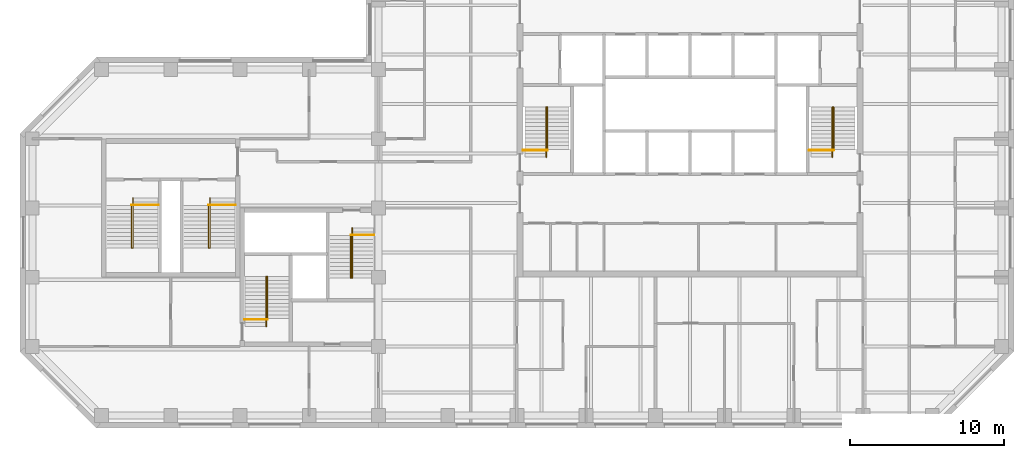
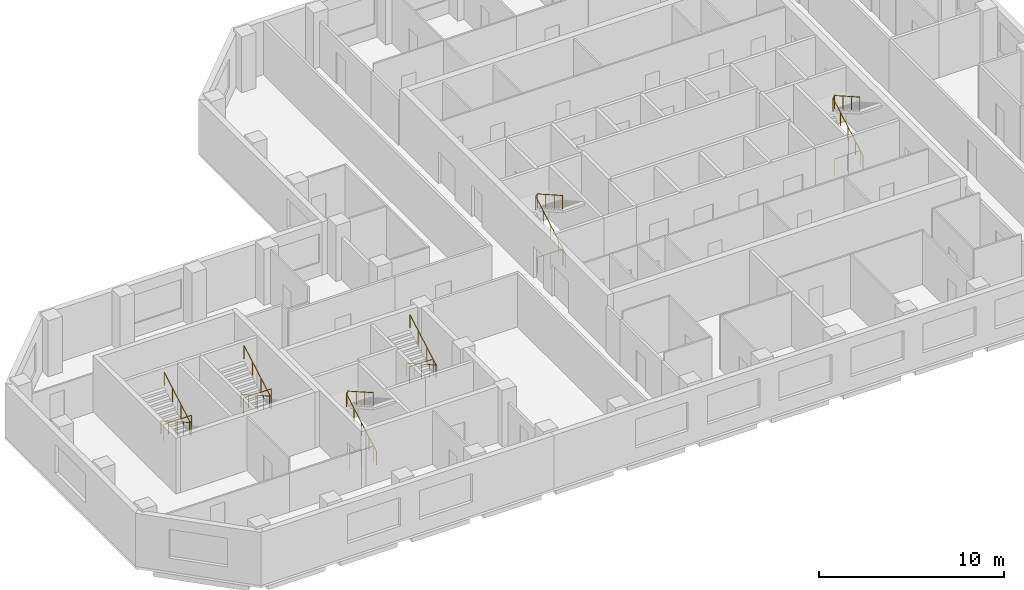
# One storey, part 9 of 9: 12 railings.
"""IFC4 building model written with IfcOpenShell, lengths in metres."""

from ifc_helpers import new_model, si_unit, direction, frame, origin, origin_2d, place, context, subcontext, project, spatial, circle, extrude, material, type_object, element, save


model = new_model("IFC4")

# Units and contexts
model_context = context("Model", 3, precision=1e-05, world=origin(), true_north=direction((0.0, 1.0)))
body_context = subcontext(model_context, "Body", "Model", "MODEL_VIEW")
ifc_project = project(units=[si_unit("LENGTHUNIT", "METRE"), si_unit("AREAUNIT", "SQUARE_METRE"), si_unit("VOLUMEUNIT", "CUBIC_METRE"), si_unit("PLANEANGLEUNIT", "RADIAN"), si_unit("MASSUNIT", "GRAM", prefix="KILO")], contexts=[model_context])

# Site, building, storey
site_placement = place(None, origin())
site = spatial("IfcSite", under=ifc_project, at=site_placement, CompositionType="ELEMENT")
building_placement = place(site_placement, origin())
building = spatial("IfcBuilding", under=site, at=building_placement, Name="Quoin Convention Tower", CompositionType="ELEMENT")
storey_placement = place(building_placement, frame((0.0, 0.0, 241.5)))
storey = spatial("IfcBuildingStorey", under=building, at=storey_placement, Name="L63", CompositionType="ELEMENT", Elevation=241.5)

# Railings
ifc_material = material(Name="Stainless steel", Category="steel")
railing_type_1 = type_object("IfcRailingType", Name="Stair handrail 900", PredefinedType="HANDRAIL", material=ifc_material)
railing_1_placement = place(storey_placement, frame((46.905029296875, 57.300048828125, 0.142333984375)))
element("IfcRailing", 1, at=railing_1_placement, inside=storey, type_object=railing_type_1, Name="SD1 handrail 1", PredefinedType="HANDRAIL", context=body_context, shape_type="SweptSolid", body=[
    extrude(circle(Radius=0.02392578125, at=origin_2d()), frame((0.0, 0.0, 0.8759765625), z_axis=(0.0, 0.869081571614, 0.494668800189), x_axis=(-1.0, 0.0, 0.0)), (0.0, 0.0, 1.0), 3.739501953125),
    extrude(circle(Radius=0.02392578125, at=origin_2d()), frame((0.0, 3.25, 2.7255859375), z_axis=(0.53481069233, 0.0, 0.844971906852), x_axis=(0.0, 1.0, 0.0)), (0.0, 0.0, 1.0), 0.16845703125),
    extrude(circle(Radius=0.02392578125, at=origin_2d()), frame((0.090087890625, 3.25, 2.8681640625), z_axis=(0.0, -0.869058607571, 0.494709143443), x_axis=(1.0, 0.0, 0.0)), (0.0, 0.0, 1.0), 3.164306640625),
    extrude(circle(Radius=0.02099609375, at=origin_2d()), origin(), (0.0, 0.0, 1.0), 0.851806640625),
    extrude(circle(Radius=0.02099609375, at=origin_2d()), frame((0.0, 0.8125, 0.46240234375)), (0.0, 0.0, 1.0), 0.851806640625),
    extrude(circle(Radius=0.02099609375, at=origin_2d()), frame((0.0, 1.625, 0.9248046875)), (0.0, 0.0, 1.0), 0.851806640625),
    extrude(circle(Radius=0.02099609375, at=origin_2d()), frame((0.0, 2.4375, 1.387451171875)), (0.0, 0.0, 1.0), 0.851806640625),
    extrude(circle(Radius=0.02099609375, at=origin_2d()), frame((0.0, 3.25, 1.849853515625)), (0.0, 0.0, 1.0), 0.851806640625),
    extrude(circle(Radius=0.02099609375, at=origin_2d()), frame((0.090087890625, 3.25, 1.9921875)), (0.0, 0.0, 1.0), 0.851806640625),
    extrude(circle(Radius=0.02099609375, at=origin_2d()), frame((0.090087890625, 2.333251953125, 2.513916015625)), (0.0, 0.0, 1.0), 0.851806640625),
    extrude(circle(Radius=0.02099609375, at=origin_2d()), frame((0.090087890625, 1.416748046875, 3.035888671875)), (0.0, 0.0, 1.0), 0.851806640625),
    extrude(circle(Radius=0.02099609375, at=origin_2d()), frame((0.090087890625, 0.5, 3.5576171875)), (0.0, 0.0, 1.0), 0.851806640625),
])
railing_2_placement = place(storey_placement, frame((65.5048828125, 57.300048828125, 0.142333984375)))
element("IfcRailing", 2, at=railing_2_placement, inside=storey, type_object=railing_type_1, Name="SD2 handrail 1", PredefinedType="HANDRAIL", context=body_context, shape_type="SweptSolid", body=[
    extrude(circle(Radius=0.02392578125, at=origin_2d()), frame((0.0, 0.0, 0.8759765625), z_axis=(0.0, 0.869081571614, 0.494668800189), x_axis=(-1.0, 0.0, 0.0)), (0.0, 0.0, 1.0), 3.739501953125),
    extrude(circle(Radius=0.02392578125, at=origin_2d()), frame((0.0, 3.25, 2.7255859375), z_axis=(0.53481069233, 0.0, 0.844971906852), x_axis=(0.0, 1.0, 0.0)), (0.0, 0.0, 1.0), 0.16845703125),
    extrude(circle(Radius=0.02392578125, at=origin_2d()), frame((0.090087890625, 3.25, 2.8681640625), z_axis=(0.0, -0.869058607571, 0.494709143443), x_axis=(1.0, 0.0, 0.0)), (0.0, 0.0, 1.0), 3.164306640625),
    extrude(circle(Radius=0.02099609375, at=origin_2d()), origin(), (0.0, 0.0, 1.0), 0.851806640625),
    extrude(circle(Radius=0.02099609375, at=origin_2d()), frame((0.0, 0.8125, 0.46240234375)), (0.0, 0.0, 1.0), 0.851806640625),
    extrude(circle(Radius=0.02099609375, at=origin_2d()), frame((0.0, 1.625, 0.9248046875)), (0.0, 0.0, 1.0), 0.851806640625),
    extrude(circle(Radius=0.02099609375, at=origin_2d()), frame((0.0, 2.4375, 1.387451171875)), (0.0, 0.0, 1.0), 0.851806640625),
    extrude(circle(Radius=0.02099609375, at=origin_2d()), frame((0.0, 3.25, 1.849853515625)), (0.0, 0.0, 1.0), 0.851806640625),
    extrude(circle(Radius=0.02099609375, at=origin_2d()), frame((0.090087890625, 3.25, 1.9921875)), (0.0, 0.0, 1.0), 0.851806640625),
    extrude(circle(Radius=0.02099609375, at=origin_2d()), frame((0.090087890625, 2.333251953125, 2.513916015625)), (0.0, 0.0, 1.0), 0.851806640625),
    extrude(circle(Radius=0.02099609375, at=origin_2d()), frame((0.090087890625, 1.416748046875, 3.035888671875)), (0.0, 0.0, 1.0), 0.851806640625),
    extrude(circle(Radius=0.02099609375, at=origin_2d()), frame((0.090087890625, 0.5, 3.5576171875)), (0.0, 0.0, 1.0), 0.851806640625),
])
railing_3_placement = place(storey_placement, frame((28.705078125, 46.300048828125, 0.142333984375)))
element("IfcRailing", 3, at=railing_3_placement, inside=storey, type_object=railing_type_1, Name="SD3 handrail 1", PredefinedType="HANDRAIL", context=body_context, shape_type="SweptSolid", body=[
    extrude(circle(Radius=0.02392578125, at=origin_2d()), frame((0.0, 0.0, 0.8759765625), z_axis=(0.0, 0.869081571614, 0.494668800189), x_axis=(-1.0, 0.0, 0.0)), (0.0, 0.0, 1.0), 3.739501953125),
    extrude(circle(Radius=0.02392578125, at=origin_2d()), frame((0.0, 3.25, 2.7255859375), z_axis=(0.533774684331, 0.0, 0.845626741753), x_axis=(0.0, 1.0, 0.0)), (0.0, 0.0, 1.0), 0.168212890625),
    extrude(circle(Radius=0.02392578125, at=origin_2d()), frame((0.08984375, 3.25, 2.8681640625), z_axis=(0.0, -0.869058607571, 0.494709143443), x_axis=(1.0, 0.0, 0.0)), (0.0, 0.0, 1.0), 3.164306640625),
    extrude(circle(Radius=0.02099609375, at=origin_2d()), origin(), (0.0, 0.0, 1.0), 0.851806640625),
    extrude(circle(Radius=0.02099609375, at=origin_2d()), frame((0.0, 0.8125, 0.46240234375)), (0.0, 0.0, 1.0), 0.851806640625),
    extrude(circle(Radius=0.02099609375, at=origin_2d()), frame((0.0, 1.625, 0.9248046875)), (0.0, 0.0, 1.0), 0.851806640625),
    extrude(circle(Radius=0.02099609375, at=origin_2d()), frame((0.0, 2.4375, 1.387451171875)), (0.0, 0.0, 1.0), 0.851806640625),
    extrude(circle(Radius=0.02099609375, at=origin_2d()), frame((0.0, 3.25, 1.849853515625)), (0.0, 0.0, 1.0), 0.851806640625),
    extrude(circle(Radius=0.02099609375, at=origin_2d()), frame((0.08984375, 3.25, 1.9921875)), (0.0, 0.0, 1.0), 0.851806640625),
    extrude(circle(Radius=0.02099609375, at=origin_2d()), frame((0.08984375, 2.333251953125, 2.513916015625)), (0.0, 0.0, 1.0), 0.851806640625),
    extrude(circle(Radius=0.02099609375, at=origin_2d()), frame((0.08984375, 1.416748046875, 3.035888671875)), (0.0, 0.0, 1.0), 0.851806640625),
    extrude(circle(Radius=0.02099609375, at=origin_2d()), frame((0.08984375, 0.5, 3.5576171875)), (0.0, 0.0, 1.0), 0.851806640625),
])
railing_4_placement = place(storey_placement, frame((34.294921875, 52.699951171875, 0.142333984375)))
element("IfcRailing", 4, at=railing_4_placement, inside=storey, type_object=railing_type_1, Name="SD4 handrail 1", PredefinedType="HANDRAIL", context=body_context, shape_type="SweptSolid", body=[
    extrude(circle(Radius=0.02392578125, at=origin_2d()), frame((0.0, 0.0, 0.8759765625), z_axis=(0.0, -0.869081571614, 0.494668800189), x_axis=(1.0, 0.0, 0.0)), (0.0, 0.0, 1.0), 3.739501953125),
    extrude(circle(Radius=0.02392578125, at=origin_2d()), frame((0.0, -3.25, 2.7255859375), z_axis=(-0.533774684331, 0.0, 0.845626741753), x_axis=(0.0, -1.0, 0.0)), (0.0, 0.0, 1.0), 0.168212890625),
    extrude(circle(Radius=0.02392578125, at=origin_2d()), frame((-0.08984375, -3.25, 2.8681640625), z_axis=(0.0, 0.869058607571, 0.494709143443), x_axis=(-1.0, 0.0, 0.0)), (0.0, 0.0, 1.0), 3.164306640625),
    extrude(circle(Radius=0.02099609375, at=origin_2d()), origin(), (0.0, 0.0, 1.0), 0.851806640625),
    extrude(circle(Radius=0.02099609375, at=origin_2d()), frame((0.0, -0.8125, 0.46240234375)), (0.0, 0.0, 1.0), 0.851806640625),
    extrude(circle(Radius=0.02099609375, at=origin_2d()), frame((0.0, -1.625, 0.9248046875)), (0.0, 0.0, 1.0), 0.851806640625),
    extrude(circle(Radius=0.02099609375, at=origin_2d()), frame((0.0, -2.4375, 1.387451171875)), (0.0, 0.0, 1.0), 0.851806640625),
    extrude(circle(Radius=0.02099609375, at=origin_2d()), frame((0.0, -3.25, 1.849853515625)), (0.0, 0.0, 1.0), 0.851806640625),
    extrude(circle(Radius=0.02099609375, at=origin_2d()), frame((-0.08984375, -3.25, 1.9921875)), (0.0, 0.0, 1.0), 0.851806640625),
    extrude(circle(Radius=0.02099609375, at=origin_2d()), frame((-0.08984375, -2.333251953125, 2.513916015625)), (0.0, 0.0, 1.0), 0.851806640625),
    extrude(circle(Radius=0.02099609375, at=origin_2d()), frame((-0.08984375, -1.416748046875, 3.035888671875)), (0.0, 0.0, 1.0), 0.851806640625),
    extrude(circle(Radius=0.02099609375, at=origin_2d()), frame((-0.08984375, -0.5, 3.5576171875)), (0.0, 0.0, 1.0), 0.851806640625),
])
railing_5_placement = place(storey_placement, frame((20.044921875, 54.64990234375, 0.142333984375)))
element("IfcRailing", 5, at=railing_5_placement, inside=storey, type_object=railing_type_1, Name="SD11 handrail 1", PredefinedType="HANDRAIL", context=body_context, shape_type="SweptSolid", body=[
    extrude(circle(Radius=0.02392578125, at=origin_2d()), frame((0.0, 0.0, 0.8759765625), z_axis=(0.0, -0.869081571614, 0.494668800189), x_axis=(1.0, 0.0, 0.0)), (0.0, 0.0, 1.0), 3.739501953125),
    extrude(circle(Radius=0.02392578125, at=origin_2d()), frame((0.0, -3.25, 2.7255859375), z_axis=(-0.533774684331, 0.0, 0.845626741753), x_axis=(0.0, -1.0, 0.0)), (0.0, 0.0, 1.0), 0.168212890625),
    extrude(circle(Radius=0.02392578125, at=origin_2d()), frame((-0.08984375, -3.25, 2.8681640625), z_axis=(0.0, 0.869058607571, 0.494709143443), x_axis=(-1.0, 0.0, 0.0)), (0.0, 0.0, 1.0), 3.164306640625),
    extrude(circle(Radius=0.02099609375, at=origin_2d()), origin(), (0.0, 0.0, 1.0), 0.851806640625),
    extrude(circle(Radius=0.02099609375, at=origin_2d()), frame((0.0, -0.8125, 0.46240234375)), (0.0, 0.0, 1.0), 0.851806640625),
    extrude(circle(Radius=0.02099609375, at=origin_2d()), frame((0.0, -1.625, 0.9248046875)), (0.0, 0.0, 1.0), 0.851806640625),
    extrude(circle(Radius=0.02099609375, at=origin_2d()), frame((0.0, -2.4375, 1.387451171875)), (0.0, 0.0, 1.0), 0.851806640625),
    extrude(circle(Radius=0.02099609375, at=origin_2d()), frame((0.0, -3.25, 1.849853515625)), (0.0, 0.0, 1.0), 0.851806640625),
    extrude(circle(Radius=0.02099609375, at=origin_2d()), frame((-0.08984375, -3.25, 1.9921875)), (0.0, 0.0, 1.0), 0.851806640625),
    extrude(circle(Radius=0.02099609375, at=origin_2d()), frame((-0.08984375, -2.333251953125, 2.513916015625)), (0.0, 0.0, 1.0), 0.851806640625),
    extrude(circle(Radius=0.02099609375, at=origin_2d()), frame((-0.08984375, -1.416748046875, 3.035888671875)), (0.0, 0.0, 1.0), 0.851806640625),
    extrude(circle(Radius=0.02099609375, at=origin_2d()), frame((-0.08984375, -0.5, 3.5576171875)), (0.0, 0.0, 1.0), 0.851806640625),
])
railing_6_placement = place(storey_placement, frame((25.044921875, 54.64990234375, 0.142333984375)))
element("IfcRailing", 6, at=railing_6_placement, inside=storey, type_object=railing_type_1, Name="SD12 handrail 1", PredefinedType="HANDRAIL", context=body_context, shape_type="SweptSolid", body=[
    extrude(circle(Radius=0.02392578125, at=origin_2d()), frame((0.0, 0.0, 0.8759765625), z_axis=(0.0, -0.869081571614, 0.494668800189), x_axis=(1.0, 0.0, 0.0)), (0.0, 0.0, 1.0), 3.739501953125),
    extrude(circle(Radius=0.02392578125, at=origin_2d()), frame((0.0, -3.25, 2.7255859375), z_axis=(-0.533774684331, 0.0, 0.845626741753), x_axis=(0.0, -1.0, 0.0)), (0.0, 0.0, 1.0), 0.168212890625),
    extrude(circle(Radius=0.02392578125, at=origin_2d()), frame((-0.08984375, -3.25, 2.8681640625), z_axis=(0.0, 0.869058607571, 0.494709143443), x_axis=(-1.0, 0.0, 0.0)), (0.0, 0.0, 1.0), 3.164306640625),
    extrude(circle(Radius=0.02099609375, at=origin_2d()), origin(), (0.0, 0.0, 1.0), 0.851806640625),
    extrude(circle(Radius=0.02099609375, at=origin_2d()), frame((0.0, -0.8125, 0.46240234375)), (0.0, 0.0, 1.0), 0.851806640625),
    extrude(circle(Radius=0.02099609375, at=origin_2d()), frame((0.0, -1.625, 0.9248046875)), (0.0, 0.0, 1.0), 0.851806640625),
    extrude(circle(Radius=0.02099609375, at=origin_2d()), frame((0.0, -2.4375, 1.387451171875)), (0.0, 0.0, 1.0), 0.851806640625),
    extrude(circle(Radius=0.02099609375, at=origin_2d()), frame((0.0, -3.25, 1.849853515625)), (0.0, 0.0, 1.0), 0.851806640625),
    extrude(circle(Radius=0.02099609375, at=origin_2d()), frame((-0.08984375, -3.25, 1.9921875)), (0.0, 0.0, 1.0), 0.851806640625),
    extrude(circle(Radius=0.02099609375, at=origin_2d()), frame((-0.08984375, -2.333251953125, 2.513916015625)), (0.0, 0.0, 1.0), 0.851806640625),
    extrude(circle(Radius=0.02099609375, at=origin_2d()), frame((-0.08984375, -1.416748046875, 3.035888671875)), (0.0, 0.0, 1.0), 0.851806640625),
    extrude(circle(Radius=0.02099609375, at=origin_2d()), frame((-0.08984375, -0.5, 3.5576171875)), (0.0, 0.0, 1.0), 0.851806640625),
])
railing_type_2 = type_object("IfcRailingType", Name="Stair top guard 1100", PredefinedType="GUARDRAIL", material=ifc_material)
railing_7_placement = place(storey_placement, frame((45.39990234375, 57.75, 0.0)))
element("IfcRailing", 7, at=railing_7_placement, inside=storey, type_object=railing_type_2, Name="SD1 top guard", PredefinedType="GUARDRAIL", context=body_context, shape_type="SweptSolid", body=[
    extrude(circle(Radius=0.02392578125, at=origin_2d()), frame((0.0, 0.0, 1.076171875), z_axis=(1.0, 0.0, 0.0), x_axis=(0.0, 1.0, 0.0)), (0.0, 0.0, 1.0), 1.59521484375),
    extrude(circle(Radius=0.02099609375, at=origin_2d()), origin(), (0.0, 0.0, 1.0), 1.052001953125),
    extrude(circle(Radius=0.02099609375, at=origin_2d()), frame((0.797607421875, 0.0, 0.0)), (0.0, 0.0, 1.0), 1.052001953125),
    extrude(circle(Radius=0.02099609375, at=origin_2d()), frame((1.59521484375, 0.0, 0.0)), (0.0, 0.0, 1.0), 1.052001953125),
])
railing_8_placement = place(storey_placement, frame((64.0, 57.75, 0.0)))
element("IfcRailing", 8, at=railing_8_placement, inside=storey, type_object=railing_type_2, Name="SD2 top guard", PredefinedType="GUARDRAIL", context=body_context, shape_type="SweptSolid", body=[
    extrude(circle(Radius=0.02392578125, at=origin_2d()), frame((0.0, 0.0, 1.076171875), z_axis=(1.0, 0.0, 0.0), x_axis=(0.0, 1.0, 0.0)), (0.0, 0.0, 1.0), 1.594970703125),
    extrude(circle(Radius=0.02099609375, at=origin_2d()), origin(), (0.0, 0.0, 1.0), 1.052001953125),
    extrude(circle(Radius=0.02099609375, at=origin_2d()), frame((0.79736328125, 0.0, 0.0)), (0.0, 0.0, 1.0), 1.052001953125),
    extrude(circle(Radius=0.02099609375, at=origin_2d()), frame((1.594970703125, 0.0, 0.0)), (0.0, 0.0, 1.0), 1.052001953125),
])
railing_9_placement = place(storey_placement, frame((27.300048828125, 46.75, 0.0)))
element("IfcRailing", 9, at=railing_9_placement, inside=storey, type_object=railing_type_2, Name="SD3 top guard", PredefinedType="GUARDRAIL", context=body_context, shape_type="SweptSolid", body=[
    extrude(circle(Radius=0.02392578125, at=origin_2d()), frame((0.0, 0.0, 1.076171875), z_axis=(1.0, 0.0, 0.0), x_axis=(0.0, 1.0, 0.0)), (0.0, 0.0, 1.0), 1.494873046875),
    extrude(circle(Radius=0.02099609375, at=origin_2d()), origin(), (0.0, 0.0, 1.0), 1.052001953125),
    extrude(circle(Radius=0.02099609375, at=origin_2d()), frame((0.74755859375, 0.0, 0.0)), (0.0, 0.0, 1.0), 1.052001953125),
    extrude(circle(Radius=0.02099609375, at=origin_2d()), frame((1.494873046875, 0.0, 0.0)), (0.0, 0.0, 1.0), 1.052001953125),
])
railing_10_placement = place(storey_placement, frame((35.699951171875, 52.25, 0.0)))
element("IfcRailing", 10, at=railing_10_placement, inside=storey, type_object=railing_type_2, Name="SD4 top guard", PredefinedType="GUARDRAIL", context=body_context, shape_type="SweptSolid", body=[
    extrude(circle(Radius=0.02392578125, at=origin_2d()), frame((0.0, 0.0, 1.076171875), z_axis=(-1.0, 0.0, 0.0), x_axis=(0.0, -1.0, 0.0)), (0.0, 0.0, 1.0), 1.494873046875),
    extrude(circle(Radius=0.02099609375, at=origin_2d()), origin(), (0.0, 0.0, 1.0), 1.052001953125),
    extrude(circle(Radius=0.02099609375, at=origin_2d()), frame((-0.74755859375, 0.0, 0.0)), (0.0, 0.0, 1.0), 1.052001953125),
    extrude(circle(Radius=0.02099609375, at=origin_2d()), frame((-1.494873046875, 0.0, 0.0)), (0.0, 0.0, 1.0), 1.052001953125),
])
for number, where, name in (
    (11, (21.699951171875, 54.199951171875, 0.0), "SD11 top guard"),
    (12, (26.699951171875, 54.199951171875, 0.0), "SD12 top guard"),
):
    element("IfcRailing", number, at=place(storey_placement, frame(where)), inside=storey, type_object=railing_type_2, Name=name, PredefinedType="GUARDRAIL", context=body_context, shape_type="SweptSolid", body=[
        extrude(circle(Radius=0.02392578125, at=origin_2d()), frame((0.0, 0.0, 1.076171875), z_axis=(-1.0, 0.0, 0.0), x_axis=(0.0, -1.0, 0.0)), (0.0, 0.0, 1.0), 1.744873046875),
        extrude(circle(Radius=0.02099609375, at=origin_2d()), origin(), (0.0, 0.0, 1.0), 1.052001953125),
        extrude(circle(Radius=0.02099609375, at=origin_2d()), frame((-0.87255859375, 0.0, 0.0)), (0.0, 0.0, 1.0), 1.052001953125),
        extrude(circle(Radius=0.02099609375, at=origin_2d()), frame((-1.744873046875, 0.0, 0.0)), (0.0, 0.0, 1.0), 1.052001953125),
    ])

save(model, "model.ifc")
